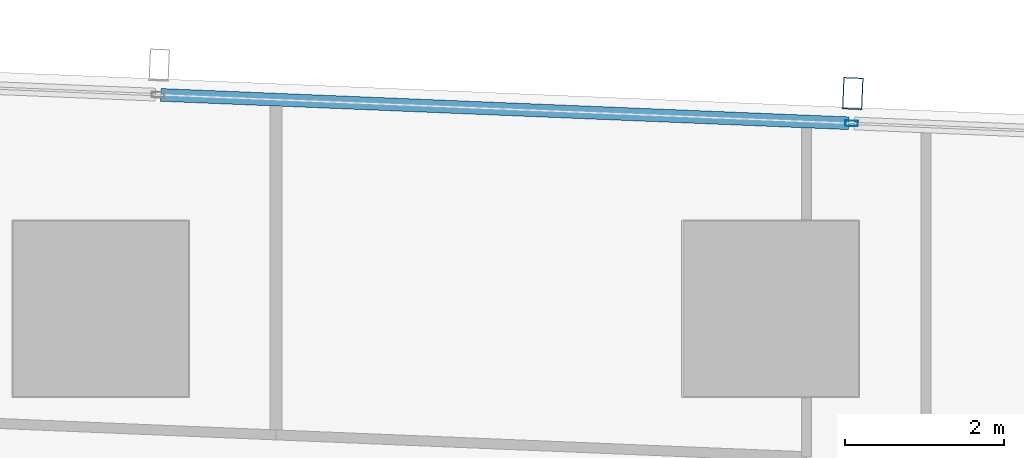
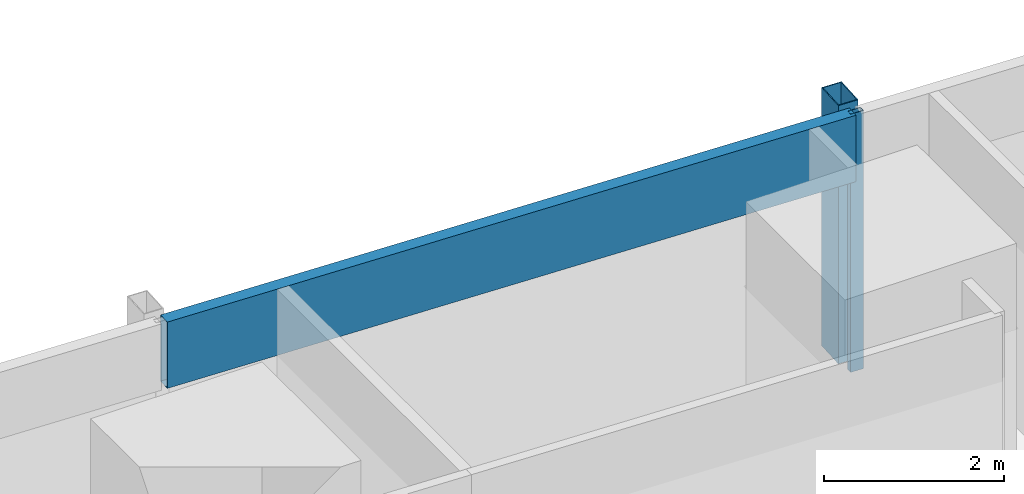
# One storey, part 22 of 42: 3 members, 1 element without a shape of its own.
"""IFC4 building model written with IfcOpenShell, lengths in metres."""

from ifc_helpers import new_model, si_unit, direction, frame, origin, origin_2d, place, context, subcontext, project, spatial, hollow_rectangle, extrude, material, material_profile, profile_set, type_object, element, aggregate, save


model = new_model("IFC4")

# Units and contexts
model_context = context("Model", 3, precision=1e-05, world=origin(), true_north=direction((0.0, 1.0)))
body_context = subcontext(model_context, "Body", "Model", "MODEL_VIEW")
ifc_project = project(units=[si_unit("LENGTHUNIT", "METRE"), si_unit("AREAUNIT", "SQUARE_METRE"), si_unit("VOLUMEUNIT", "CUBIC_METRE"), si_unit("PLANEANGLEUNIT", "RADIAN"), si_unit("MASSUNIT", "GRAM", prefix="KILO")], contexts=[model_context])

# Site, building, storey
site_placement = place(None, origin())
site = spatial("IfcSite", under=ifc_project, at=site_placement, CompositionType="ELEMENT")
building_placement = place(site_placement, origin())
building = spatial("IfcBuilding", under=site, at=building_placement, Name="Rekha Terrace Tower", CompositionType="ELEMENT")
storey_placement = place(building_placement, frame((0.0, 0.0, 40.39990234375)))
storey = spatial("IfcBuildingStorey", under=building, at=storey_placement, Name="L09", CompositionType="ELEMENT", Elevation=40.39990234375)

# Curtain wall, members
ifc_material_1 = material(Name="Aluminium framing", Category="aluminium")
curtain_wall_type = type_object("IfcCurtainWallType", Name="CW3 north unitised glazing", PredefinedType="USERDEFINED", material=ifc_material_1)
curtain_wall_placement = place(storey_placement, origin())
curtain_wall = element("IfcCurtainWall", 1, at=curtain_wall_placement, inside=storey, type_object=curtain_wall_type, Name="CW3 unitised curtain wall", ObjectType="UNITISED CURTAIN WALL", PredefinedType="USERDEFINED")
ifc_material_2 = material(Name="Steel S355 with fluorocarbon finish", Category="steel")
ifc_material_profile_1 = material_profile(ifc_material_2, hollow_rectangle(XDim=0.25, YDim=0.39990234375, WallThickness=0.012451171875, at=origin_2d()), Name="RHS400x250x12.5")
ifc_profile_set_1 = profile_set([ifc_material_profile_1], Name="Steel S355 with fluorocarbon finish")
member_type_1 = type_object("IfcMemberType", Name="BL1 facade blade RHS 400 x 250", PredefinedType="USERDEFINED", material=ifc_profile_set_1)
member_1_placement = place(storey_placement, frame((51.430419921875, 61.499267578125, 0.0), z_axis=(0.0, 0.0, 1.0), x_axis=(-0.99915196507, 0.041174636562, 0.0)))
member_1 = element("IfcMember", 2, at=member_1_placement, type_object=member_type_1, Name="Facade blade", ObjectType="FACADE BLADE", PredefinedType="USERDEFINED", context=body_context, shape_type="SweptSolid", body=[
    extrude(hollow_rectangle(XDim=0.25, YDim=0.39990234375, WallThickness=0.012451171875, at=origin_2d()), origin(), (0.0, 0.0, 1.0), 3.5),
])
ifc_material_3 = material(Name="Aluminium mullion section", Category="aluminium")
ifc_material_profile_2 = material_profile(ifc_material_3, hollow_rectangle(XDim=0.070068359375, YDim=0.159912109375, WallThickness=0.00390625, at=origin_2d()), Name="AL RHS 70x160")
ifc_profile_set_2 = profile_set([ifc_material_profile_2], Name="Aluminium mullion section")
member_type_2 = type_object("IfcMemberType", Name="CW3 mullion RHS 70 x 160", PredefinedType="MULLION", material=ifc_profile_set_2)
member_2_placement = place(storey_placement, frame((51.4150390625, 61.12451171875, 0.0), z_axis=(0.0, 0.0, 1.0), x_axis=(-0.041173846041, -0.999151997647, 0.0)))
member_2 = element("IfcMember", 3, at=member_2_placement, type_object=member_type_2, Name="CW3 mullion 3", PredefinedType="MULLION", context=body_context, shape_type="SweptSolid", body=[
    extrude(hollow_rectangle(XDim=0.070068359375, YDim=0.159912109375, WallThickness=0.00390625, at=origin_2d()), origin(), (0.0, 0.0, 1.0), 3.5),
])
ifc_material_4 = material(Name="Insulated aluminium spandrel box", Category="aluminium")
ifc_material_profile_3 = material_profile(ifc_material_4, hollow_rectangle(XDim=0.159912109375, YDim=0.89990234375, WallThickness=0.0029296875, at=origin_2d()), Name="AL SPANDREL BOX 160x900")
ifc_profile_set_3 = profile_set([ifc_material_profile_3], Name="Insulated aluminium spandrel box")
member_type_3 = type_object("IfcMemberType", Name="CW3 spandrel transom 160 x 900", PredefinedType="USERDEFINED", material=ifc_profile_set_3)
member_3_placement = place(storey_placement, frame((51.380126953125, 61.1259765625, 3.050048828125), z_axis=(-0.999152128669, 0.041170666459, 0.0), x_axis=(-0.041170666459, -0.999152128669, 0.0)))
member_3 = element("IfcMember", 4, at=member_3_placement, type_object=member_type_3, Name="CW3 spandrel transom 3", ObjectType="TRANSOM", PredefinedType="USERDEFINED", context=body_context, shape_type="SweptSolid", body=[
    extrude(hollow_rectangle(XDim=0.159912109375, YDim=0.89990234375, WallThickness=0.0029296875, at=origin_2d()), origin(), (0.0, 0.0, 1.0), 8.634033203125),
])
aggregate(curtain_wall, [member_2, member_3, member_1])

save(model, "model.ifc")
